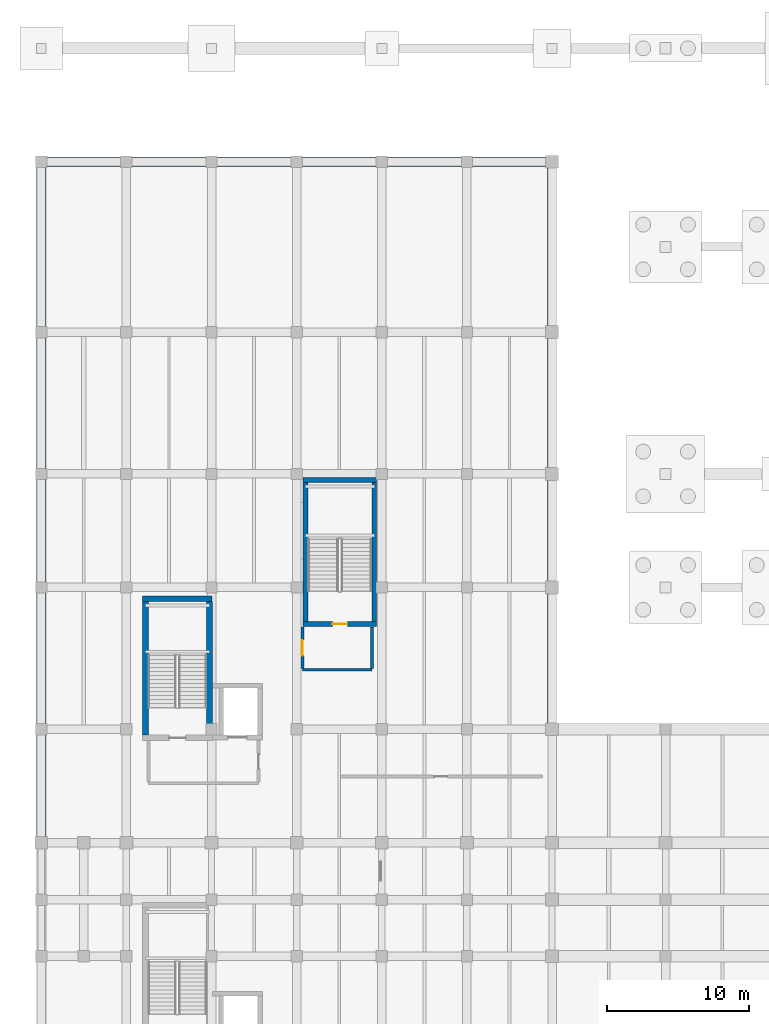
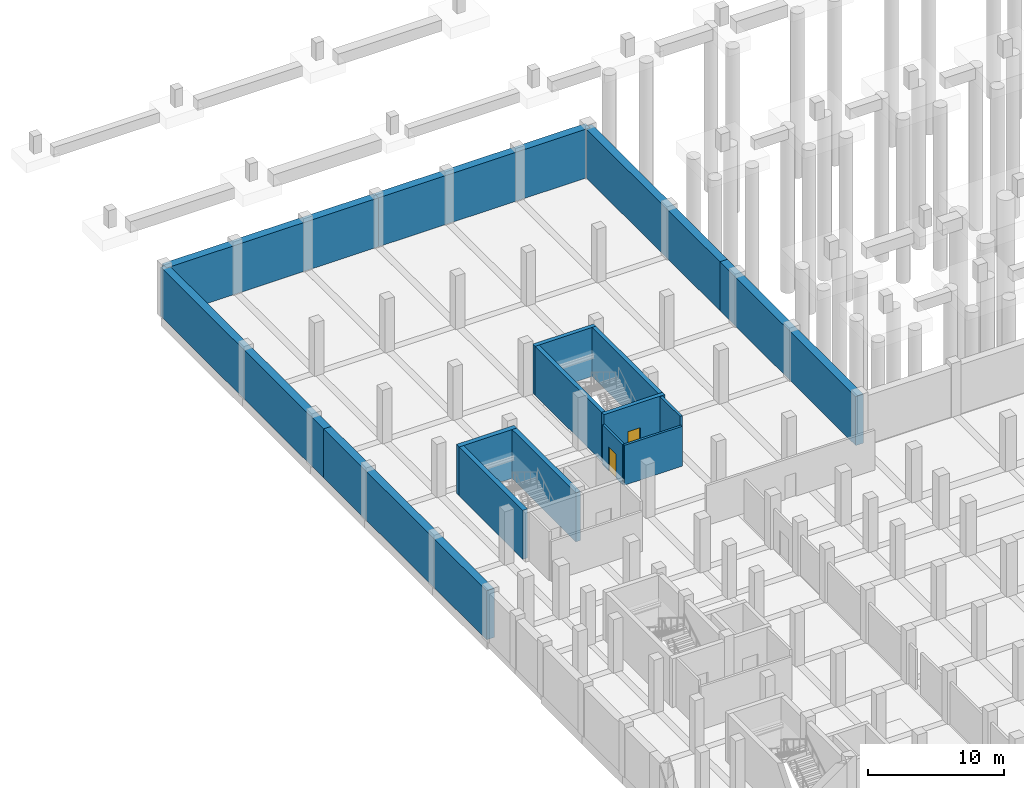
# One storey, part 24 of 36: 16 walls, 2 doors, 2 openings.
"""IFC4 building model written with IfcOpenShell, lengths in metres."""

from ifc_helpers import new_model, si_unit, direction, frame, frame_2d, origin, place, context, subcontext, project, spatial, rectangle, extrude, material, layer, layer_set, type_object, element, fill, save


model = new_model("IFC4")

# Units and contexts
model_context = context("Model", 3, precision=1e-05, world=origin(), true_north=direction((0.0, 1.0)))
body_context = subcontext(model_context, "Body", "Model", "MODEL_VIEW")
ifc_project = project(units=[si_unit("LENGTHUNIT", "METRE"), si_unit("AREAUNIT", "SQUARE_METRE"), si_unit("VOLUMEUNIT", "CUBIC_METRE"), si_unit("PLANEANGLEUNIT", "RADIAN"), si_unit("MASSUNIT", "GRAM", prefix="KILO")], contexts=[model_context])

# Site, building, storey
site_placement = place(None, origin())
site = spatial("IfcSite", under=ifc_project, at=site_placement, CompositionType="ELEMENT")
building_placement = place(site_placement, origin())
building = spatial("IfcBuilding", under=site, at=building_placement, Name="Verrall Gate Interchange", CompositionType="ELEMENT")
storey_placement = place(building_placement, frame((0.0, 0.0, -4.800048828125)))
storey = spatial("IfcBuildingStorey", under=building, at=storey_placement, Name="B1", CompositionType="ELEMENT", Elevation=-4.800048828125)

# Wall
ifc_material_1 = material(Name="Fire-Rated Type X Gypsum Stud Partition Assembly (60 min)", Category="gypsum")
ifc_layer_1 = layer(ifc_material_1, 0.199951171875)
ifc_layer_set_1 = layer_set([ifc_layer_1], Name="Fire-Rated Type X Gypsum Stud Partition Assembly (60 min)")
wall_type_1 = type_object("IfcWallType", Name="IW-01 Interior Partition Wall 200", PredefinedType="PARTITIONING", material=ifc_layer_set_1)
wall_1_placement = place(storey_placement, frame((18.39990234375, 60.199951171875, 0.0), z_axis=(0.0, 0.0, 1.0), x_axis=(1.0, 0.0, 0.0)))
element("IfcWall", 1, at=wall_1_placement, inside=storey, type_object=wall_type_1, Name="B1 Core C4 Lobby South Rated Wall", PredefinedType="PARTITIONING", context=body_context, shape_type="SweptSolid", body=[
    extrude(rectangle(XDim=4.900146484375, YDim=0.199951171875, at=frame_2d((2.4501953125, 0.0))), origin(), (0.0, 0.0, 1.0), 3.587158203125),
])

# Wall, opening, door
wall_2_placement = place(storey_placement, frame((18.39990234375, 63.199951171875, 0.0), z_axis=(0.0, 0.0, 1.0), x_axis=(0.0, -1.0, 0.0)))
wall_2 = element("IfcWall", 2, at=wall_2_placement, inside=storey, type_object=wall_type_1, Name="B1 Core C4 Lobby West Rated Wall", PredefinedType="PARTITIONING", context=body_context, shape_type="SweptSolid", body=[
    extrude(rectangle(XDim=2.919921875, YDim=0.199951171875, at=frame_2d((1.4599609375, 0.0))), origin(), (0.0, 0.0, 1.0), 3.587158203125),
])
opening_1_placement = place(wall_2_placement, frame((0.909912109375, 0.0, 0.0)))
opening_1 = element("IfcOpeningElement", 3, at=opening_1_placement, cuts=wall_2, Name="Opening LBD058", PredefinedType="OPENING", context=body_context, shape_type="SweptSolid", body=[
    extrude(rectangle(XDim=1.10009765625, YDim=2.14990234375, at=frame_2d((0.550048828125, 1.074951171875))), frame((0.0, 0.11474609375, 0.0), z_axis=(0.0, -1.0, 0.0), x_axis=(1.0, 0.0, 0.0)), (0.0, 0.0, 1.0), 0.229736328125),
])
ifc_material_2 = material(Name="Hollow-Metal Fire-Rated Door Assembly", Category="metal")
door_type_1 = type_object("IfcDoorType", Name="ID-06 Interior Swing Door 1100x2150", OperationType="NOTDEFINED", PredefinedType="DOOR", material=ifc_material_2)
door_1_placement = place(opening_1_placement, origin())
door_1 = element("IfcDoor", 4, at=door_1_placement, inside=storey, type_object=door_type_1, Name="B1 Core C4 Lobby Fire Door LBD058", OperationType="SINGLE_SWING_RIGHT", OverallHeight=2.14990234375, OverallWidth=1.10009765625, PredefinedType="DOOR", context=body_context, shape_type="SweptSolid", body=[
    extrude(rectangle(XDim=1.10009765625, YDim=2.14990234375, at=frame_2d((0.550048828125, 1.074951171875))), frame((0.0, 0.02490234375, 0.0), z_axis=(0.0, -1.0, 0.0), x_axis=(1.0, 0.0, 0.0)), (0.0, 0.0, 1.0), 0.050048828125),
])
fill(opening_1, door_1)

# Walls
wall_3_placement = place(storey_placement, frame((23.300048828125, 60.280029296875, 0.0), z_axis=(0.0, 0.0, 1.0), x_axis=(0.0, 1.0, 0.0)))
element("IfcWall", 5, at=wall_3_placement, inside=storey, type_object=wall_type_1, Name="B1 Core C4 Lobby East Rated Wall", PredefinedType="PARTITIONING", context=body_context, shape_type="SweptSolid", body=[
    extrude(rectangle(XDim=2.919921875, YDim=0.199951171875, at=frame_2d((1.4599609375, 0.0))), origin(), (0.0, 0.0, 1.0), 4.400146484375),
])
ifc_material_3 = material(Name="Concrete CSA A23.1 35 MPa (Class S-2)", Category="concrete")
ifc_layer_2 = layer(ifc_material_3, 0.659912109375)
ifc_layer_set_2 = layer_set([ifc_layer_2], Name="Concrete CSA A23.1 35 MPa (Class S-2)")
wall_type_2 = type_object("IfcWallType", Name="RW-02 Diaphragm Retaining Wall 660", PredefinedType="USERDEFINED", material=ifc_layer_set_2)
for number, where, z_axis, x_axis, name in (
    (6, (36.0, 56.0, 0.0), (0.0, 0.0, 1.0), (0.0, 1.0, 0.0), "B1 Diaphragm Retaining Wall 041"),
    (7, (36.0, 76.0, 0.0), (0.0, 0.0, 1.0), (0.0, 1.0, 0.0), "B1 Diaphragm Retaining Wall 042"),
):
    element("IfcWall", number, at=place(storey_placement, frame(where, z_axis=z_axis, x_axis=x_axis)), inside=storey, type_object=wall_type_2, Name=name, ObjectType="RETAININGWALL", PredefinedType="USERDEFINED", context=body_context, shape_type="SweptSolid", body=[
        extrude(rectangle(XDim=20.0, YDim=0.659912109375, at=frame_2d((10.0, 0.0))), origin(), (0.0, 0.0, 1.0), 4.400146484375),
    ])
for number, where, z_axis, x_axis, name in (
    (8, (36.0, 96.0, 0.0), (0.0, 0.0, 1.0), (-1.0, 0.0, 0.0), "B1 Diaphragm Retaining Wall 043"),
    (9, (18.0, 96.0, 0.0), (0.0, 0.0, 1.0), (-1.0, 0.0, 0.0), "B1 Diaphragm Retaining Wall 044"),
):
    element("IfcWall", number, at=place(storey_placement, frame(where, z_axis=z_axis, x_axis=x_axis)), inside=storey, type_object=wall_type_2, Name=name, ObjectType="RETAININGWALL", PredefinedType="USERDEFINED", context=body_context, shape_type="SweptSolid", body=[
        extrude(rectangle(XDim=18.0, YDim=0.659912109375, at=frame_2d((9.0, 0.0))), origin(), (0.0, 0.0, 1.0), 4.400146484375),
    ])
for number, where, z_axis, x_axis, name in (
    (10, (0.0, 96.0, 0.0), (0.0, 0.0, 1.0), (0.0, -1.0, 0.0), "B1 Diaphragm Retaining Wall 045"),
    (11, (0.0, 72.0, 0.0), (0.0, 0.0, 1.0), (0.0, -1.0, 0.0), "B1 Diaphragm Retaining Wall 046"),
):
    element("IfcWall", number, at=place(storey_placement, frame(where, z_axis=z_axis, x_axis=x_axis)), inside=storey, type_object=wall_type_2, Name=name, ObjectType="RETAININGWALL", PredefinedType="USERDEFINED", context=body_context, shape_type="SweptSolid", body=[
        extrude(rectangle(XDim=24.0, YDim=0.659912109375, at=frame_2d((12.0, 0.0))), origin(), (0.0, 0.0, 1.0), 4.400146484375),
    ])
ifc_material_4 = material(Name="Concrete CSA A23.1 40 MPa (Class N)", Category="concrete")
ifc_layer_3 = layer(ifc_material_4, 0.39990234375)
ifc_layer_set_3 = layer_set([ifc_layer_3], Name="Concrete CSA A23.1 40 MPa (Class N)")
wall_type_3 = type_object("IfcWallType", Name="SW-01 Core Shear Wall 400", PredefinedType="SHEAR", material=ifc_layer_set_3)
wall_4_placement = place(storey_placement, frame((12.050048828125, 65.199951171875, 0.0), z_axis=(0.0, 0.0, 1.0), x_axis=(-1.0, 0.0, 0.0)))
element("IfcWall", 12, at=wall_4_placement, inside=storey, type_object=wall_type_3, Name="B1 Core C3 North Shear Wall", PredefinedType="SHEAR", context=body_context, shape_type="SweptSolid", body=[
    extrude(rectangle(XDim=4.900146484375, YDim=0.39990234375, at=frame_2d((2.4501953125, 0.0))), origin(), (0.0, 0.0, 1.0), 4.400146484375),
])
for number, where, z_axis, x_axis, name in (
    (13, (7.35009765625, 65.0, 0.0), (0.0, 0.0, 1.0), (0.0, -1.0, 0.0), "B1 Core C3 West Shear Wall"),
    (14, (11.85009765625, 55.60009765625, 0.0), (0.0, 0.0, 1.0), (0.0, 1.0, 0.0), "B1 Core C3 East Shear Wall"),
):
    element("IfcWall", number, at=place(storey_placement, frame(where, z_axis=z_axis, x_axis=x_axis)), inside=storey, type_object=wall_type_3, Name=name, PredefinedType="SHEAR", context=body_context, shape_type="SweptSolid", body=[
        extrude(rectangle(XDim=9.39990234375, YDim=0.39990234375, at=frame_2d((4.699951171875, 0.0))), origin(), (0.0, 0.0, 1.0), 4.400146484375),
    ])

# Wall, opening, door
ifc_material_5 = material(Name="Concrete CSA A23.1 40 MPa (Class N)", Category="concrete")
ifc_layer_4 = layer(ifc_material_5, 0.340087890625)
ifc_layer_set_4 = layer_set([ifc_layer_4], Name="Concrete CSA A23.1 40 MPa (Class N)")
wall_type_4 = type_object("IfcWallType", Name="SW-02 Core Shear Wall 340", PredefinedType="SHEAR", material=ifc_layer_set_4)
wall_5_placement = place(storey_placement, frame((18.4599609375, 63.429931640625, 0.0), z_axis=(0.0, 0.0, 1.0), x_axis=(1.0, 0.0, 0.0)))
wall_5 = element("IfcWall", 15, at=wall_5_placement, inside=storey, type_object=wall_type_4, Name="B1 Core C4 South Shear Wall", PredefinedType="SHEAR", context=body_context, shape_type="SweptSolid", body=[
    extrude(rectangle(XDim=5.179931640625, YDim=0.340087890625, at=frame_2d((2.58984375, 0.0))), origin(), (0.0, 0.0, 1.0), 4.400146484375),
])
opening_2_placement = place(wall_5_placement, frame((2.06494140625, 0.0, 0.0)))
opening_2 = element("IfcOpeningElement", 16, at=opening_2_placement, cuts=wall_5, Name="Opening SD052", PredefinedType="OPENING", context=body_context, shape_type="SweptSolid", body=[
    extrude(rectangle(XDim=1.050048828125, YDim=2.14990234375, at=frame_2d((0.52490234375, 1.074951171875))), frame((0.0, 0.18505859375, 0.0), z_axis=(0.0, -1.0, 0.0), x_axis=(1.0, 0.0, 0.0)), (0.0, 0.0, 1.0), 0.369873046875),
])
ifc_material_6 = material(Name="Hollow-Metal Fire-Rated Door Assembly", Category="metal")
door_type_2 = type_object("IfcDoorType", Name="ID-01 Interior Swing Door 1050x2150", OperationType="NOTDEFINED", PredefinedType="DOOR", material=ifc_material_6)
door_2_placement = place(opening_2_placement, origin())
door_2 = element("IfcDoor", 17, at=door_2_placement, inside=storey, type_object=door_type_2, Name="B1 Stair ST-04 Fire Door SD052", OperationType="SINGLE_SWING_RIGHT", OverallHeight=2.14990234375, OverallWidth=1.050048828125, PredefinedType="DOOR", context=body_context, shape_type="SweptSolid", body=[
    extrude(rectangle(XDim=1.050048828125, YDim=2.14990234375, at=frame_2d((0.52490234375, 1.074951171875))), frame((0.0, 0.02490234375, 0.0), z_axis=(0.0, -1.0, 0.0), x_axis=(1.0, 0.0, 0.0)), (0.0, 0.0, 1.0), 0.050048828125),
])
fill(opening_2, door_2)

# Walls
wall_6_placement = place(storey_placement, frame((23.639892578125, 73.570068359375, 0.0), z_axis=(0.0, 0.0, 1.0), x_axis=(-1.0, 0.0, 0.0)))
element("IfcWall", 18, at=wall_6_placement, inside=storey, type_object=wall_type_4, Name="B1 Core C4 North Shear Wall", PredefinedType="SHEAR", context=body_context, shape_type="SweptSolid", body=[
    extrude(rectangle(XDim=5.179931640625, YDim=0.340087890625, at=frame_2d((2.58984375, 0.0))), origin(), (0.0, 0.0, 1.0), 4.400146484375),
])
for number, where, z_axis, x_axis, name in (
    (19, (18.6298828125, 73.39990234375, 0.0), (0.0, 0.0, 1.0), (0.0, -1.0, 0.0), "B1 Core C4 West Shear Wall"),
    (20, (23.469970703125, 63.60009765625, 0.0), (0.0, 0.0, 1.0), (0.0, 1.0, 0.0), "B1 Core C4 East Shear Wall"),
):
    element("IfcWall", number, at=place(storey_placement, frame(where, z_axis=z_axis, x_axis=x_axis)), inside=storey, type_object=wall_type_4, Name=name, PredefinedType="SHEAR", context=body_context, shape_type="SweptSolid", body=[
        extrude(rectangle(XDim=9.7998046875, YDim=0.340087890625, at=frame_2d((4.89990234375, 0.0))), origin(), (0.0, 0.0, 1.0), 4.400146484375),
    ])

save(model, "model.ifc")
